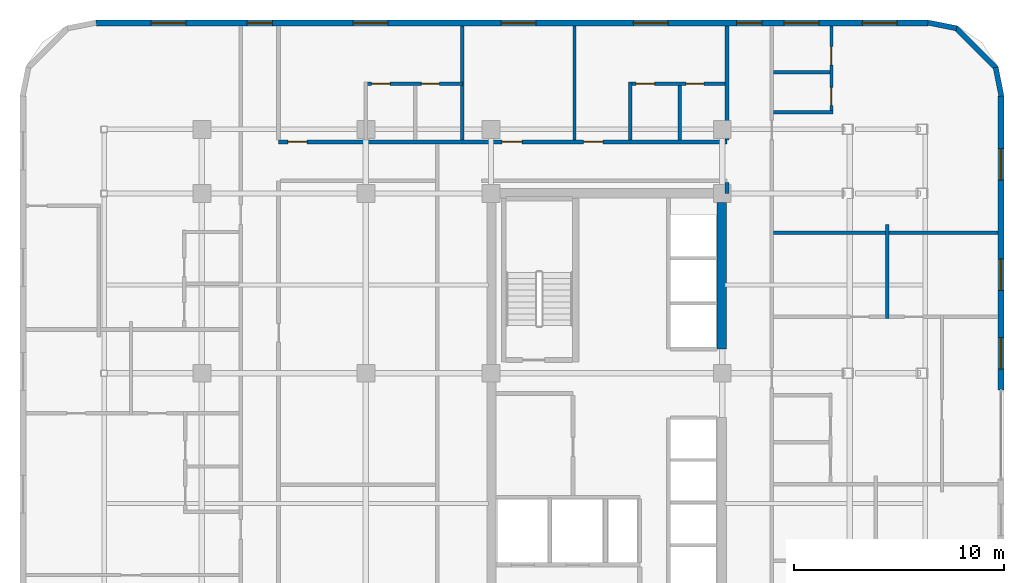
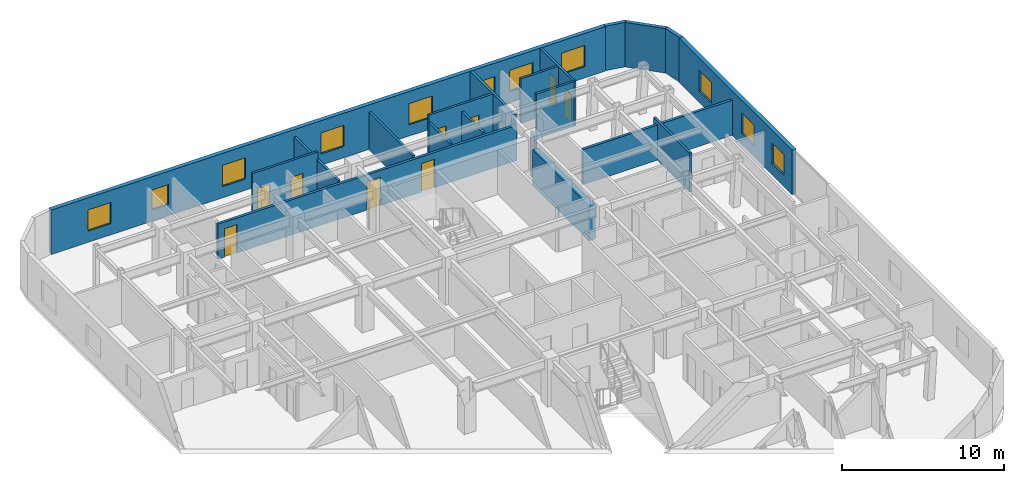
# One storey, part 11 of 13: 20 walls, 11 windows, 9 doors, 20 openings.
"""IFC4 building model written with IfcOpenShell, lengths in metres."""

from ifc_helpers import new_model, si_unit, direction, frame, frame_2d, origin, place, context, subcontext, project, spatial, rectangle, extrude, material, layer, layer_set, type_object, element, fill, save


model = new_model("IFC4")

# Units and contexts
model_context = context("Model", 3, precision=1e-05, world=origin(), true_north=direction((0.0, 1.0)))
body_context = subcontext(model_context, "Body", "Model", "MODEL_VIEW")
ifc_project = project(units=[si_unit("LENGTHUNIT", "METRE"), si_unit("AREAUNIT", "SQUARE_METRE"), si_unit("VOLUMEUNIT", "CUBIC_METRE"), si_unit("PLANEANGLEUNIT", "RADIAN"), si_unit("MASSUNIT", "GRAM", prefix="KILO")], contexts=[model_context])

# Site, building, storey
site_placement = place(None, origin())
site = spatial("IfcSite", under=ifc_project, at=site_placement, CompositionType="ELEMENT")
building_placement = place(site_placement, origin())
building = spatial("IfcBuilding", under=site, at=building_placement, Name="Ochreholt Gables", CompositionType="ELEMENT")
storey_placement = place(building_placement, frame((0.0, 0.0, 34.800048828125)))
storey = spatial("IfcBuildingStorey", under=building, at=storey_placement, Name="L08", CompositionType="ELEMENT", Elevation=34.800048828125)

# Wall
ifc_material_1 = material(Name="Concrete 60 MPa", Category="concrete")
ifc_layer_1 = layer(ifc_material_1, 0.449951171875, Name="Concrete 60 MPa")
ifc_layer_set_1 = layer_set([ifc_layer_1], Name="Concrete 60 MPa")
wall_type_1 = type_object("IfcWallType", Name="WALL-CSW-450", PredefinedType="SHEAR", material=ifc_layer_set_1)
wall_1_placement = place(storey_placement, frame((35.175048828125, 31.35009765625, 0.0), z_axis=(0.0, 0.0, 1.0), x_axis=(0.0, 1.0, 0.0)))
element("IfcWall", 1, at=wall_1_placement, inside=storey, type_object=wall_type_1, Name="L08 Core North-East Shear Wall", PredefinedType="SHEAR", context=body_context, shape_type="SweptSolid", body=[
    extrude(rectangle(XDim=6.974853515625, YDim=0.449951171875, at=frame_2d((3.4873046875, 0.0))), origin(), (0.0, 0.0, 1.0), 2.6669921875),
])

# Wall, openings, windows
ifc_material_2 = material(Name="Precast concrete 40 MPa", Category="concrete")
ifc_layer_2 = layer(ifc_material_2, 0.2900390625, Name="Precast concrete 40 MPa")
ifc_layer_set_2 = layer_set([ifc_layer_2], Name="Precast concrete 40 MPa")
wall_type_2 = type_object("IfcWallType", Name="WALL-EXT-290", PredefinedType="SOLIDWALL", material=ifc_layer_set_2)
wall_2_placement = place(storey_placement, frame((48.455078125, 29.39990234375, 0.0), z_axis=(0.0, 0.0, 1.0), x_axis=(0.0, 1.0, 0.0)))
wall_2 = element("IfcWall", 2, at=wall_2_placement, inside=storey, type_object=wall_type_2, Name="L08 East Facade Wall 2", PredefinedType="SOLIDWALL", context=body_context, shape_type="SweptSolid", body=[
    extrude(rectangle(XDim=13.97998046875, YDim=0.2900390625, at=frame_2d((6.989990234375, 0.0))), origin(), (0.0, 0.0, 1.0), 3.35986328125),
])
opening_1_placement = place(wall_2_placement, frame((0.9951171875, 0.0, 0.85009765625)))
opening_1 = element("IfcOpeningElement", 3, at=opening_1_placement, cuts=wall_2, Name="Opening WN-2", PredefinedType="OPENING", context=body_context, shape_type="SweptSolid", body=[
    extrude(rectangle(XDim=1.5, YDim=1.550048828125, at=frame_2d((0.75, 0.77490234375))), frame((0.0, 0.155029296875, 0.0), z_axis=(0.0, -1.0, 0.0), x_axis=(1.0, 0.0, 0.0)), (0.0, 0.0, 1.0), 0.31005859375),
])
opening_2_placement = place(wall_2_placement, frame((4.735107421875, 0.0, 0.85009765625)))
opening_2 = element("IfcOpeningElement", 4, at=opening_2_placement, cuts=wall_2, Name="Opening WN-2", PredefinedType="OPENING", context=body_context, shape_type="SweptSolid", body=[
    extrude(rectangle(XDim=1.5, YDim=1.550048828125, at=frame_2d((0.75, 0.77490234375))), frame((0.0, 0.155029296875, 0.0), z_axis=(0.0, -1.0, 0.0), x_axis=(1.0, 0.0, 0.0)), (0.0, 0.0, 1.0), 0.31005859375),
])
opening_3_placement = place(wall_2_placement, frame((9.97998046875, 0.0, 0.85009765625)))
opening_3 = element("IfcOpeningElement", 5, at=opening_3_placement, cuts=wall_2, Name="Opening WN-2", PredefinedType="OPENING", context=body_context, shape_type="SweptSolid", body=[
    extrude(rectangle(XDim=1.5, YDim=1.550048828125, at=frame_2d((0.75, 0.77490234375))), frame((0.0, 0.155029296875, 0.0), z_axis=(0.0, -1.0, 0.0), x_axis=(1.0, 0.0, 0.0)), (0.0, 0.0, 1.0), 0.31005859375),
])
ifc_material_3 = material(Name="Triple-Glazed Thermally Broken Aluminium Window", Category="aluminium")
window_type_1 = type_object("IfcWindowType", Name="WIN-RES-1500", PartitioningType="SINGLE_PANEL", PredefinedType="WINDOW", material=ifc_material_3)
window_1_placement = place(opening_1_placement, origin())
window_1 = element("IfcWindow", 6, at=window_1_placement, inside=storey, type_object=window_type_1, Name="L08 Window W-EXT-E2-L08-1", OverallHeight=1.550048828125, OverallWidth=1.5, PartitioningType="SINGLE_PANEL", PredefinedType="WINDOW", context=body_context, shape_type="SweptSolid", body=[
    extrude(rectangle(XDim=1.5, YDim=1.550048828125, at=frame_2d((0.75, 0.77490234375))), frame((0.0, 0.030029296875, 0.0), z_axis=(0.0, -1.0, 0.0), x_axis=(1.0, 0.0, 0.0)), (0.0, 0.0, 1.0), 0.06005859375),
])
fill(opening_1, window_1)
window_2_placement = place(opening_2_placement, origin())
window_2 = element("IfcWindow", 7, at=window_2_placement, inside=storey, type_object=window_type_1, Name="L08 Window W-EXT-E2-L08-2", OverallHeight=1.550048828125, OverallWidth=1.5, PartitioningType="SINGLE_PANEL", PredefinedType="WINDOW", context=body_context, shape_type="SweptSolid", body=[
    extrude(rectangle(XDim=1.5, YDim=1.550048828125, at=frame_2d((0.75, 0.77490234375))), frame((0.0, 0.030029296875, 0.0), z_axis=(0.0, -1.0, 0.0), x_axis=(1.0, 0.0, 0.0)), (0.0, 0.0, 1.0), 0.06005859375),
])
fill(opening_2, window_2)
window_3_placement = place(opening_3_placement, origin())
window_3 = element("IfcWindow", 8, at=window_3_placement, inside=storey, type_object=window_type_1, Name="L08 Window W-EXT-E2-L08-3", OverallHeight=1.550048828125, OverallWidth=1.5, PartitioningType="SINGLE_PANEL", PredefinedType="WINDOW", context=body_context, shape_type="SweptSolid", body=[
    extrude(rectangle(XDim=1.5, YDim=1.550048828125, at=frame_2d((0.75, 0.77490234375))), frame((0.0, 0.030029296875, 0.0), z_axis=(0.0, -1.0, 0.0), x_axis=(1.0, 0.0, 0.0)), (0.0, 0.0, 1.0), 0.06005859375),
])
fill(opening_3, window_3)

wall_3_placement = place(storey_placement, frame((44.97998046875, 46.85498046875, 0.0), z_axis=(0.0, 0.0, 1.0), x_axis=(-1.0, 0.0, 0.0)))
wall_3 = element("IfcWall", 9, at=wall_3_placement, inside=storey, type_object=wall_type_2, Name="L08 North Exterior Wall", PredefinedType="SOLIDWALL", context=body_context, shape_type="SweptSolid", body=[
    extrude(rectangle(XDim=39.56005859375, YDim=0.2900390625, at=frame_2d((19.780029296875, 0.0))), origin(), (0.0, 0.0, 1.0), 3.35986328125),
])
opening_4_placement = place(wall_3_placement, frame((35.294921875, 0.0, 0.85009765625)))
opening_4 = element("IfcOpeningElement", 10, at=opening_4_placement, cuts=wall_3, Name="Opening WN-7", PredefinedType="OPENING", context=body_context, shape_type="SweptSolid", body=[
    extrude(rectangle(XDim=1.64990234375, YDim=1.60009765625, at=frame_2d((0.824951171875, 0.800048828125))), frame((0.0, 0.155029296875, 0.0), z_axis=(0.0, -1.0, 0.0), x_axis=(1.0, 0.0, 0.0)), (0.0, 0.0, 1.0), 0.31005859375),
])
opening_5_placement = place(wall_3_placement, frame((31.179931640625, 0.0, 0.85009765625)))
opening_5 = element("IfcOpeningElement", 11, at=opening_5_placement, cuts=wall_3, Name="Opening WN-3", PredefinedType="OPENING", context=body_context, shape_type="SweptSolid", body=[
    extrude(rectangle(XDim=1.199951171875, YDim=1.5, at=frame_2d((0.60009765625, 0.75))), frame((0.0, 0.155029296875, 0.0), z_axis=(0.0, -1.0, 0.0), x_axis=(1.0, 0.0, 0.0)), (0.0, 0.0, 1.0), 0.31005859375),
])
opening_6_placement = place(wall_3_placement, frame((25.684326171875, 0.0, 0.85009765625)))
opening_6 = element("IfcOpeningElement", 12, at=opening_6_placement, cuts=wall_3, Name="Opening WN-7", PredefinedType="OPENING", context=body_context, shape_type="SweptSolid", body=[
    extrude(rectangle(XDim=1.64990234375, YDim=1.60009765625, at=frame_2d((0.824951171875, 0.800048828125))), frame((0.0, 0.155029296875, 0.0), z_axis=(0.0, -1.0, 0.0), x_axis=(1.0, 0.0, 0.0)), (0.0, 0.0, 1.0), 0.31005859375),
])
opening_7_placement = place(wall_3_placement, frame((18.648681640625, 0.0, 0.85009765625)))
opening_7 = element("IfcOpeningElement", 13, at=opening_7_placement, cuts=wall_3, Name="Opening WN-7", PredefinedType="OPENING", context=body_context, shape_type="SweptSolid", body=[
    extrude(rectangle(XDim=1.64990234375, YDim=1.60009765625, at=frame_2d((0.824951171875, 0.800048828125))), frame((0.0, 0.155029296875, 0.0), z_axis=(0.0, -1.0, 0.0), x_axis=(1.0, 0.0, 0.0)), (0.0, 0.0, 1.0), 0.31005859375),
])
opening_8_placement = place(wall_3_placement, frame((12.359375, 0.0, 0.85009765625)))
opening_8 = element("IfcOpeningElement", 14, at=opening_8_placement, cuts=wall_3, Name="Opening WN-7", PredefinedType="OPENING", context=body_context, shape_type="SweptSolid", body=[
    extrude(rectangle(XDim=1.64990234375, YDim=1.60009765625, at=frame_2d((0.824951171875, 0.800048828125))), frame((0.0, 0.155029296875, 0.0), z_axis=(0.0, -1.0, 0.0), x_axis=(1.0, 0.0, 0.0)), (0.0, 0.0, 1.0), 0.31005859375),
])
opening_9_placement = place(wall_3_placement, frame((7.89501953125, 0.0, 0.85009765625)))
opening_9 = element("IfcOpeningElement", 15, at=opening_9_placement, cuts=wall_3, Name="Opening WN-3", PredefinedType="OPENING", context=body_context, shape_type="SweptSolid", body=[
    extrude(rectangle(XDim=1.199951171875, YDim=1.5, at=frame_2d((0.60009765625, 0.75))), frame((0.0, 0.155029296875, 0.0), z_axis=(0.0, -1.0, 0.0), x_axis=(1.0, 0.0, 0.0)), (0.0, 0.0, 1.0), 0.31005859375),
])
opening_10_placement = place(wall_3_placement, frame((5.18310546875, 0.0, 0.85009765625)))
opening_10 = element("IfcOpeningElement", 16, at=opening_10_placement, cuts=wall_3, Name="Opening WN-7", PredefinedType="OPENING", context=body_context, shape_type="SweptSolid", body=[
    extrude(rectangle(XDim=1.64990234375, YDim=1.60009765625, at=frame_2d((0.824951171875, 0.800048828125))), frame((0.0, 0.155029296875, 0.0), z_axis=(0.0, -1.0, 0.0), x_axis=(1.0, 0.0, 0.0)), (0.0, 0.0, 1.0), 0.31005859375),
])
opening_11_placement = place(wall_3_placement, frame((1.468017578125, 0.0, 0.85009765625)))
opening_11 = element("IfcOpeningElement", 17, at=opening_11_placement, cuts=wall_3, Name="Opening WN-7", PredefinedType="OPENING", context=body_context, shape_type="SweptSolid", body=[
    extrude(rectangle(XDim=1.64990234375, YDim=1.60009765625, at=frame_2d((0.824951171875, 0.800048828125))), frame((0.0, 0.155029296875, 0.0), z_axis=(0.0, -1.0, 0.0), x_axis=(1.0, 0.0, 0.0)), (0.0, 0.0, 1.0), 0.31005859375),
])
window_type_2 = type_object("IfcWindowType", Name="WIN-RES-1200", PartitioningType="SINGLE_PANEL", PredefinedType="WINDOW", material=ifc_material_3)
window_4_placement = place(opening_5_placement, origin())
window_4 = element("IfcWindow", 18, at=window_4_placement, inside=storey, type_object=window_type_2, Name="L08 Window W-EXT-N-L08-2", OverallHeight=1.5, OverallWidth=1.199951171875, PartitioningType="SINGLE_PANEL", PredefinedType="WINDOW", context=body_context, shape_type="SweptSolid", body=[
    extrude(rectangle(XDim=1.199951171875, YDim=1.5, at=frame_2d((0.60009765625, 0.75))), frame((0.0, 0.030029296875, 0.0), z_axis=(0.0, -1.0, 0.0), x_axis=(1.0, 0.0, 0.0)), (0.0, 0.0, 1.0), 0.06005859375),
])
fill(opening_5, window_4)
window_5_placement = place(opening_9_placement, origin())
window_5 = element("IfcWindow", 19, at=window_5_placement, inside=storey, type_object=window_type_2, Name="L08 Window W-EXT-N-L08-6", OverallHeight=1.5, OverallWidth=1.199951171875, PartitioningType="SINGLE_PANEL", PredefinedType="WINDOW", context=body_context, shape_type="SweptSolid", body=[
    extrude(rectangle(XDim=1.199951171875, YDim=1.5, at=frame_2d((0.60009765625, 0.75))), frame((0.0, 0.030029296875, 0.0), z_axis=(0.0, -1.0, 0.0), x_axis=(1.0, 0.0, 0.0)), (0.0, 0.0, 1.0), 0.06005859375),
])
fill(opening_9, window_5)
window_type_3 = type_object("IfcWindowType", Name="WIN-RES-1650", PartitioningType="SINGLE_PANEL", PredefinedType="WINDOW", material=ifc_material_3)
window_6_placement = place(opening_4_placement, origin())
window_6 = element("IfcWindow", 20, at=window_6_placement, inside=storey, type_object=window_type_3, Name="L08 Window W-EXT-N-L08-1", OverallHeight=1.60009765625, OverallWidth=1.64990234375, PartitioningType="SINGLE_PANEL", PredefinedType="WINDOW", context=body_context, shape_type="SweptSolid", body=[
    extrude(rectangle(XDim=1.64990234375, YDim=1.60009765625, at=frame_2d((0.824951171875, 0.800048828125))), frame((0.0, 0.030029296875, 0.0), z_axis=(0.0, -1.0, 0.0), x_axis=(1.0, 0.0, 0.0)), (0.0, 0.0, 1.0), 0.06005859375),
])
fill(opening_4, window_6)
window_7_placement = place(opening_6_placement, origin())
window_7 = element("IfcWindow", 21, at=window_7_placement, inside=storey, type_object=window_type_3, Name="L08 Window W-EXT-N-L08-3", OverallHeight=1.60009765625, OverallWidth=1.64990234375, PartitioningType="SINGLE_PANEL", PredefinedType="WINDOW", context=body_context, shape_type="SweptSolid", body=[
    extrude(rectangle(XDim=1.64990234375, YDim=1.60009765625, at=frame_2d((0.824951171875, 0.800048828125))), frame((0.0, 0.030029296875, 0.0), z_axis=(0.0, -1.0, 0.0), x_axis=(1.0, 0.0, 0.0)), (0.0, 0.0, 1.0), 0.06005859375),
])
fill(opening_6, window_7)
window_8_placement = place(opening_7_placement, origin())
window_8 = element("IfcWindow", 22, at=window_8_placement, inside=storey, type_object=window_type_3, Name="L08 Window W-EXT-N-L08-4", OverallHeight=1.60009765625, OverallWidth=1.64990234375, PartitioningType="SINGLE_PANEL", PredefinedType="WINDOW", context=body_context, shape_type="SweptSolid", body=[
    extrude(rectangle(XDim=1.64990234375, YDim=1.60009765625, at=frame_2d((0.824951171875, 0.800048828125))), frame((0.0, 0.030029296875, 0.0), z_axis=(0.0, -1.0, 0.0), x_axis=(1.0, 0.0, 0.0)), (0.0, 0.0, 1.0), 0.06005859375),
])
fill(opening_7, window_8)
window_9_placement = place(opening_8_placement, origin())
window_9 = element("IfcWindow", 23, at=window_9_placement, inside=storey, type_object=window_type_3, Name="L08 Window W-EXT-N-L08-5", OverallHeight=1.60009765625, OverallWidth=1.64990234375, PartitioningType="SINGLE_PANEL", PredefinedType="WINDOW", context=body_context, shape_type="SweptSolid", body=[
    extrude(rectangle(XDim=1.64990234375, YDim=1.60009765625, at=frame_2d((0.824951171875, 0.800048828125))), frame((0.0, 0.030029296875, 0.0), z_axis=(0.0, -1.0, 0.0), x_axis=(1.0, 0.0, 0.0)), (0.0, 0.0, 1.0), 0.06005859375),
])
fill(opening_8, window_9)
window_10_placement = place(opening_10_placement, origin())
window_10 = element("IfcWindow", 24, at=window_10_placement, inside=storey, type_object=window_type_3, Name="L08 Window W-EXT-N-L08-7", OverallHeight=1.60009765625, OverallWidth=1.64990234375, PartitioningType="SINGLE_PANEL", PredefinedType="WINDOW", context=body_context, shape_type="SweptSolid", body=[
    extrude(rectangle(XDim=1.64990234375, YDim=1.60009765625, at=frame_2d((0.824951171875, 0.800048828125))), frame((0.0, 0.030029296875, 0.0), z_axis=(0.0, -1.0, 0.0), x_axis=(1.0, 0.0, 0.0)), (0.0, 0.0, 1.0), 0.06005859375),
])
fill(opening_10, window_10)
window_11_placement = place(opening_11_placement, origin())
window_11 = element("IfcWindow", 25, at=window_11_placement, inside=storey, type_object=window_type_3, Name="L08 Window W-EXT-N-L08-8", OverallHeight=1.60009765625, OverallWidth=1.64990234375, PartitioningType="SINGLE_PANEL", PredefinedType="WINDOW", context=body_context, shape_type="SweptSolid", body=[
    extrude(rectangle(XDim=1.64990234375, YDim=1.60009765625, at=frame_2d((0.824951171875, 0.800048828125))), frame((0.0, 0.030029296875, 0.0), z_axis=(0.0, -1.0, 0.0), x_axis=(1.0, 0.0, 0.0)), (0.0, 0.0, 1.0), 0.06005859375),
])
fill(opening_11, window_11)

# Walls
ifc_layer_3 = layer(ifc_material_2, 0.25, Name="Precast concrete 40 MPa")
ifc_layer_set_3 = layer_set([ifc_layer_3], Name="Precast concrete 40 MPa")
wall_type_3 = type_object("IfcWallType", Name="WALL-EXT-CNR", PredefinedType="SOLIDWALL", material=ifc_layer_set_3)
wall_4_placement = place(storey_placement, frame((48.475830078125, 43.383544921875, 0.0), z_axis=(0.0, 0.0, 1.0), x_axis=(-0.19496651342, 0.980809899341, 0.0)))
element("IfcWall", 26, at=wall_4_placement, inside=storey, type_object=wall_type_3, Name="L08 Rounded Corner Wall NE-1", PredefinedType="SOLIDWALL", context=body_context, shape_type="SweptSolid", body=[
    extrude(rectangle(XDim=1.388671875, YDim=0.25, at=frame_2d((0.6943359375, 0.0))), origin(), (0.0, 0.0, 1.0), 3.35986328125),
])
wall_5_placement = place(storey_placement, frame((48.23193359375, 44.695068359375, 0.0), z_axis=(0.0, 0.0, 1.0), x_axis=(-0.707106781187, 0.707106781187, 0.0)))
element("IfcWall", 27, at=wall_5_placement, inside=storey, type_object=wall_type_3, Name="L08 Rounded Corner Wall NE-2", PredefinedType="SOLIDWALL", context=body_context, shape_type="SweptSolid", body=[
    extrude(rectangle(XDim=2.7392578125, YDim=0.25, at=frame_2d((1.36962890625, 0.0))), origin(), (0.0, 0.0, 1.0), 3.35986328125),
])
wall_6_placement = place(storey_placement, frame((46.345458984375, 46.60498046875, 0.0), z_axis=(0.0, 0.0, 1.0), x_axis=(-0.980809899341, 0.19496651342, 0.0)))
element("IfcWall", 28, at=wall_6_placement, inside=storey, type_object=wall_type_3, Name="L08 Rounded Corner Wall NE-3", PredefinedType="SOLIDWALL", context=body_context, shape_type="SweptSolid", body=[
    extrude(rectangle(XDim=1.388671875, YDim=0.25, at=frame_2d((0.6943359375, 0.0))), origin(), (0.0, 0.0, 1.0), 3.35986328125),
])

# Wall, openings, doors
ifc_material_4 = material(Name="Fire-Rated Gypsum Acoustic Partition", Category="gypsum")
ifc_layer_4 = layer(ifc_material_4, 0.179931640625, Name="Fire-Rated Gypsum Acoustic Partition")
ifc_layer_set_4 = layer_set([ifc_layer_4], Name="Fire-Rated Gypsum Acoustic Partition")
wall_type_4 = type_object("IfcWallType", Name="WALL-INT-CR180", PredefinedType="STANDARD", material=ifc_layer_set_4)
wall_7_placement = place(storey_placement, frame((14.10009765625, 41.199951171875, 0.0), z_axis=(0.0, 0.0, 1.0), x_axis=(1.0, 0.0, 0.0)))
wall_7 = element("IfcWall", 29, at=wall_7_placement, inside=storey, type_object=wall_type_4, Name="L08 Interior Wall WI-C1N-L08", PredefinedType="STANDARD", context=body_context, shape_type="SweptSolid", body=[
    extrude(rectangle(XDim=21.31982421875, YDim=0.179931640625, at=frame_2d((10.659912109375, 0.0))), origin(), (0.0, 0.0, 1.0), 2.64892578125),
])
opening_12_placement = place(wall_7_placement, frame((0.43994140625, 0.0, 0.0)))
opening_12 = element("IfcOpeningElement", 30, at=opening_12_placement, cuts=wall_7, Name="Opening D-UN1", PredefinedType="OPENING", context=body_context, shape_type="SweptSolid", body=[
    extrude(rectangle(XDim=0.919921875, YDim=2.14990234375, at=frame_2d((0.4599609375, 1.074951171875))), frame((0.0, 0.099853515625, 0.0), z_axis=(0.0, -1.0, 0.0), x_axis=(1.0, 0.0, 0.0)), (0.0, 0.0, 1.0), 0.199951171875),
])
opening_13_placement = place(wall_7_placement, frame((10.631103515625, 0.0, 0.0)))
opening_13 = element("IfcOpeningElement", 31, at=opening_13_placement, cuts=wall_7, Name="Opening D-GN1", PredefinedType="OPENING", context=body_context, shape_type="SweptSolid", body=[
    extrude(rectangle(XDim=0.949951171875, YDim=2.14990234375, at=frame_2d((0.47509765625, 1.074951171875))), frame((0.0, 0.099853515625, 0.0), z_axis=(0.0, -1.0, 0.0), x_axis=(1.0, 0.0, 0.0)), (0.0, 0.0, 1.0), 0.199951171875),
])
opening_14_placement = place(wall_7_placement, frame((14.51123046875, 0.0, 0.0)))
opening_14 = element("IfcOpeningElement", 32, at=opening_14_placement, cuts=wall_7, Name="Opening D-UN1", PredefinedType="OPENING", context=body_context, shape_type="SweptSolid", body=[
    extrude(rectangle(XDim=0.919921875, YDim=2.14990234375, at=frame_2d((0.4599609375, 1.074951171875))), frame((0.0, 0.099853515625, 0.0), z_axis=(0.0, -1.0, 0.0), x_axis=(1.0, 0.0, 0.0)), (0.0, 0.0, 1.0), 0.199951171875),
])
ifc_material_5 = material(Name="Engineered Oak Timber", Category="wood")
door_type_1 = type_object("IfcDoorType", Name="DR-INT-GEN950", OperationType="NOTDEFINED", PredefinedType="DOOR", material=ifc_material_5)
door_1_placement = place(opening_13_placement, origin())
door_1 = element("IfcDoor", 33, at=door_1_placement, inside=storey, type_object=door_type_1, Name="L08 Door D-C1N3-L08", OperationType="SINGLE_SWING_RIGHT", OverallHeight=2.14990234375, OverallWidth=0.949951171875, PredefinedType="DOOR", context=body_context, shape_type="SweptSolid", body=[
    extrude(rectangle(XDim=0.949951171875, YDim=2.14990234375, at=frame_2d((0.47509765625, 1.074951171875))), frame((0.0, 0.02490234375, 0.0), z_axis=(0.0, -1.0, 0.0), x_axis=(1.0, 0.0, 0.0)), (0.0, 0.0, 1.0), 0.050048828125),
])
fill(opening_13, door_1)
door_type_2 = type_object("IfcDoorType", Name="DR-INT-UNT920", OperationType="NOTDEFINED", PredefinedType="DOOR", material=ifc_material_5)
door_2_placement = place(opening_12_placement, origin())
door_2 = element("IfcDoor", 34, at=door_2_placement, inside=storey, type_object=door_type_2, Name="L08 Door D-U-L08N1-ENT", OperationType="SINGLE_SWING_RIGHT", OverallHeight=2.14990234375, OverallWidth=0.919921875, PredefinedType="DOOR", context=body_context, shape_type="SweptSolid", body=[
    extrude(rectangle(XDim=0.919921875, YDim=2.14990234375, at=frame_2d((0.4599609375, 1.074951171875))), frame((0.0, 0.02490234375, 0.0), z_axis=(0.0, -1.0, 0.0), x_axis=(1.0, 0.0, 0.0)), (0.0, 0.0, 1.0), 0.050048828125),
])
fill(opening_12, door_2)
door_3_placement = place(opening_14_placement, origin())
door_3 = element("IfcDoor", 35, at=door_3_placement, inside=storey, type_object=door_type_2, Name="L08 Door D-U-L08N3-ENT", OperationType="SINGLE_SWING_RIGHT", OverallHeight=2.14990234375, OverallWidth=0.919921875, PredefinedType="DOOR", context=body_context, shape_type="SweptSolid", body=[
    extrude(rectangle(XDim=0.919921875, YDim=2.14990234375, at=frame_2d((0.4599609375, 1.074951171875))), frame((0.0, 0.02490234375, 0.0), z_axis=(0.0, -1.0, 0.0), x_axis=(1.0, 0.0, 0.0)), (0.0, 0.0, 1.0), 0.050048828125),
])
fill(opening_14, door_3)

# Walls
wall_8_placement = place(storey_placement, frame((35.419921875, 38.75, 0.0), z_axis=(0.0, 0.0, 1.0), x_axis=(0.0, 1.0, 0.0)))
element("IfcWall", 36, at=wall_8_placement, inside=storey, type_object=wall_type_4, Name="L08 Interior Wall WI-C1ENW2-L08", PredefinedType="STANDARD", context=body_context, shape_type="SweptSolid", body=[
    extrude(rectangle(XDim=0.510009765625, YDim=0.179931640625, at=frame_2d((0.2548828125, 0.0))), origin(), (0.0, 0.0, 1.0), 3.35986328125),
])
ifc_material_6 = material(Name="Double-Stud Acoustic Demising Wall", Category="gypsum")
ifc_layer_5 = layer(ifc_material_6, 0.179931640625, Name="Double-Stud Acoustic Demising Wall")
ifc_layer_set_5 = layer_set([ifc_layer_5], Name="Double-Stud Acoustic Demising Wall")
wall_type_5 = type_object("IfcWallType", Name="WALL-INT-DM180", PredefinedType="PARTITIONING", material=ifc_layer_set_5)
wall_9_placement = place(storey_placement, frame((35.419921875, 41.2900390625, 0.0), z_axis=(0.0, 0.0, 1.0), x_axis=(0.0, 1.0, 0.0)))
element("IfcWall", 37, at=wall_9_placement, inside=storey, type_object=wall_type_5, Name="L08 Interior Wall WI-C1ENW-L08", PredefinedType="PARTITIONING", context=body_context, shape_type="SweptSolid", body=[
    extrude(rectangle(XDim=5.419921875, YDim=0.179931640625, at=frame_2d((2.7099609375, 0.0))), origin(), (0.0, 0.0, 1.0), 3.35986328125),
])
wall_10_placement = place(storey_placement, frame((37.639892578125, 36.8798828125, 0.0), z_axis=(0.0, 0.0, 1.0), x_axis=(1.0, 0.0, 0.0)))
element("IfcWall", 38, at=wall_10_placement, inside=storey, type_object=wall_type_5, Name="L08 Interior Wall WI-UDE4-L08", PredefinedType="PARTITIONING", context=body_context, shape_type="SweptSolid", body=[
    extrude(rectangle(XDim=10.670166015625, YDim=0.179931640625, at=frame_2d((5.3349609375, 0.0))), origin(), (0.0, 0.0, 1.0), 2.64892578125),
])
ifc_material_7 = material(Name="Moisture-Resistant Plumbing Chase Wall", Category="gypsum")
ifc_layer_6 = layer(ifc_material_7, 0.159912109375, Name="Moisture-Resistant Plumbing Chase Wall")
ifc_layer_set_6 = layer_set([ifc_layer_6], Name="Moisture-Resistant Plumbing Chase Wall")
wall_type_6 = type_object("IfcWallType", Name="WALL-INT-PL160", PredefinedType="PLUMBINGWALL", material=ifc_layer_set_6)
wall_11_placement = place(storey_placement, frame((37.639892578125, 42.610107421875, 0.0), z_axis=(0.0, 0.0, 1.0), x_axis=(1.0, 0.0, 0.0)))
element("IfcWall", 39, at=wall_11_placement, inside=storey, type_object=wall_type_6, Name="L08 Interior Wall WU-L08E4-WYS", PredefinedType="PLUMBINGWALL", context=body_context, shape_type="SweptSolid", body=[
    extrude(rectangle(XDim=2.834228515625, YDim=0.159912109375, at=frame_2d((1.4169921875, 0.0))), origin(), (0.0, 0.0, 1.0), 3.35986328125),
])

# Wall, openings, doors
wall_12_placement = place(storey_placement, frame((40.39404296875, 42.52001953125, 0.0), z_axis=(0.0, 0.0, 1.0), x_axis=(0.0, 1.0, 0.0)))
wall_12 = element("IfcWall", 40, at=wall_12_placement, inside=storey, type_object=wall_type_6, Name="L08 Interior Wall WU-L08E4-WX", PredefinedType="PLUMBINGWALL", context=body_context, shape_type="SweptSolid", body=[
    extrude(rectangle(XDim=4.18994140625, YDim=0.159912109375, at=frame_2d((2.094970703125, 0.0))), origin(), (0.0, 0.0, 1.0), 3.35986328125),
])
opening_15_placement = place(wall_12_placement, frame((0.419921875, 0.0, 0.0)))
opening_15 = element("IfcOpeningElement", 41, at=opening_15_placement, cuts=wall_12, Name="Opening D-BT1", PredefinedType="OPENING", context=body_context, shape_type="SweptSolid", body=[
    extrude(rectangle(XDim=0.860107421875, YDim=2.1201171875, at=frame_2d((0.43017578125, 1.06005859375))), frame((0.0, 0.08984375, 0.0), z_axis=(0.0, -1.0, 0.0), x_axis=(1.0, 0.0, 0.0)), (0.0, 0.0, 1.0), 0.179931640625),
])
opening_16_placement = place(wall_12_placement, frame((2.3291015625, 0.0, 0.0)))
opening_16 = element("IfcOpeningElement", 42, at=opening_16_placement, cuts=wall_12, Name="Opening D-GN2", PredefinedType="OPENING", context=body_context, shape_type="SweptSolid", body=[
    extrude(rectangle(XDim=0.8798828125, YDim=2.1201171875, at=frame_2d((0.43994140625, 1.06005859375))), frame((0.0, 0.08984375, 0.0), z_axis=(0.0, -1.0, 0.0), x_axis=(1.0, 0.0, 0.0)), (0.0, 0.0, 1.0), 0.179931640625),
])
door_type_3 = type_object("IfcDoorType", Name="DR-INT-BTH860", OperationType="NOTDEFINED", PredefinedType="DOOR", material=ifc_material_5)
door_4_placement = place(opening_15_placement, origin())
door_4 = element("IfcDoor", 43, at=door_4_placement, inside=storey, type_object=door_type_3, Name="L08 Door D-U-L08E4-BTH", OperationType="SINGLE_SWING_RIGHT", OverallHeight=2.1201171875, OverallWidth=0.860107421875, PredefinedType="DOOR", context=body_context, shape_type="SweptSolid", body=[
    extrude(rectangle(XDim=0.860107421875, YDim=2.1201171875, at=frame_2d((0.43017578125, 1.06005859375))), frame((0.0, 0.02490234375, 0.0), z_axis=(0.0, -1.0, 0.0), x_axis=(1.0, 0.0, 0.0)), (0.0, 0.0, 1.0), 0.050048828125),
])
fill(opening_15, door_4)
door_type_4 = type_object("IfcDoorType", Name="DR-INT-GEN880", OperationType="NOTDEFINED", PredefinedType="DOOR", material=ifc_material_5)
door_5_placement = place(opening_16_placement, origin())
door_5 = element("IfcDoor", 44, at=door_5_placement, inside=storey, type_object=door_type_4, Name="L08 Door D-U-L08E4-KIT", OperationType="SINGLE_SWING_LEFT", OverallHeight=2.1201171875, OverallWidth=0.8798828125, PredefinedType="DOOR", context=body_context, shape_type="SweptSolid", body=[
    extrude(rectangle(XDim=0.8798828125, YDim=2.1201171875, at=frame_2d((0.43994140625, 1.06005859375))), frame((0.0, 0.02490234375, 0.0), z_axis=(0.0, -1.0, 0.0), x_axis=(1.0, 0.0, 0.0)), (0.0, 0.0, 1.0), 0.050048828125),
])
fill(opening_16, door_5)

# Wall
wall_13_placement = place(storey_placement, frame((37.639892578125, 44.51904296875, 0.0), z_axis=(0.0, 0.0, 1.0), x_axis=(1.0, 0.0, 0.0)))
element("IfcWall", 45, at=wall_13_placement, inside=storey, type_object=wall_type_6, Name="L08 Interior Wall WU-L08E4-WM", PredefinedType="PLUMBINGWALL", context=body_context, shape_type="SweptSolid", body=[
    extrude(rectangle(XDim=2.674072265625, YDim=0.159912109375, at=frame_2d((1.3369140625, 0.0))), origin(), (0.0, 0.0, 1.0), 3.35986328125),
])

# Wall, openings, doors
wall_14_placement = place(storey_placement, frame((18.171142578125, 43.969970703125, 0.0), z_axis=(0.0, 0.0, 1.0), x_axis=(1.0, 0.0, 0.0)))
wall_14 = element("IfcWall", 46, at=wall_14_placement, inside=storey, type_object=wall_type_6, Name="L08 Interior Wall WU-L08N1-WY", PredefinedType="PLUMBINGWALL", context=body_context, shape_type="SweptSolid", body=[
    extrude(rectangle(XDim=4.670166015625, YDim=0.159912109375, at=frame_2d((2.3349609375, 0.0))), origin(), (0.0, 0.0, 1.0), 3.35986328125),
])
opening_17_placement = place(wall_14_placement, frame((0.35009765625, 0.0, 0.0)))
opening_17 = element("IfcOpeningElement", 47, at=opening_17_placement, cuts=wall_14, Name="Opening D-GN2", PredefinedType="OPENING", context=body_context, shape_type="SweptSolid", body=[
    extrude(rectangle(XDim=0.8798828125, YDim=2.1201171875, at=frame_2d((0.43994140625, 1.06005859375))), frame((0.0, 0.08984375, 0.0), z_axis=(0.0, -1.0, 0.0), x_axis=(1.0, 0.0, 0.0)), (0.0, 0.0, 1.0), 0.179931640625),
])
opening_18_placement = place(wall_14_placement, frame((2.719970703125, 0.0, 0.0)))
opening_18 = element("IfcOpeningElement", 48, at=opening_18_placement, cuts=wall_14, Name="Opening D-BT1", PredefinedType="OPENING", context=body_context, shape_type="SweptSolid", body=[
    extrude(rectangle(XDim=0.860107421875, YDim=2.1201171875, at=frame_2d((0.43017578125, 1.06005859375))), frame((0.0, 0.08984375, 0.0), z_axis=(0.0, -1.0, 0.0), x_axis=(1.0, 0.0, 0.0)), (0.0, 0.0, 1.0), 0.179931640625),
])
door_6_placement = place(opening_18_placement, origin())
door_6 = element("IfcDoor", 49, at=door_6_placement, inside=storey, type_object=door_type_3, Name="L08 Door D-U-L08N1-BTH", OperationType="SINGLE_SWING_RIGHT", OverallHeight=2.1201171875, OverallWidth=0.860107421875, PredefinedType="DOOR", context=body_context, shape_type="SweptSolid", body=[
    extrude(rectangle(XDim=0.860107421875, YDim=2.1201171875, at=frame_2d((0.43017578125, 1.06005859375))), frame((0.0, 0.02490234375, 0.0), z_axis=(0.0, -1.0, 0.0), x_axis=(1.0, 0.0, 0.0)), (0.0, 0.0, 1.0), 0.050048828125),
])
fill(opening_18, door_6)
door_7_placement = place(opening_17_placement, origin())
door_7 = element("IfcDoor", 50, at=door_7_placement, inside=storey, type_object=door_type_4, Name="L08 Door D-U-L08N1-KIT", OperationType="SINGLE_SWING_LEFT", OverallHeight=2.1201171875, OverallWidth=0.8798828125, PredefinedType="DOOR", context=body_context, shape_type="SweptSolid", body=[
    extrude(rectangle(XDim=0.8798828125, YDim=2.1201171875, at=frame_2d((0.43994140625, 1.06005859375))), frame((0.0, 0.02490234375, 0.0), z_axis=(0.0, -1.0, 0.0), x_axis=(1.0, 0.0, 0.0)), (0.0, 0.0, 1.0), 0.050048828125),
])
fill(opening_17, door_7)

wall_15_placement = place(storey_placement, frame((30.75, 43.969970703125, 0.0), z_axis=(0.0, 0.0, 1.0), x_axis=(1.0, 0.0, 0.0)))
wall_15 = element("IfcWall", 51, at=wall_15_placement, inside=storey, type_object=wall_type_6, Name="L08 Interior Wall WU-L08N3-WY", PredefinedType="PLUMBINGWALL", context=body_context, shape_type="SweptSolid", body=[
    extrude(rectangle(XDim=4.580078125, YDim=0.159912109375, at=frame_2d((2.2900390625, 0.0))), origin(), (0.0, 0.0, 1.0), 3.35986328125),
])
opening_19_placement = place(wall_15_placement, frame((0.35009765625, 0.0, 0.0)))
opening_19 = element("IfcOpeningElement", 52, at=opening_19_placement, cuts=wall_15, Name="Opening D-GN2", PredefinedType="OPENING", context=body_context, shape_type="SweptSolid", body=[
    extrude(rectangle(XDim=0.8798828125, YDim=2.1201171875, at=frame_2d((0.43994140625, 1.06005859375))), frame((0.0, 0.08984375, 0.0), z_axis=(0.0, -1.0, 0.0), x_axis=(1.0, 0.0, 0.0)), (0.0, 0.0, 1.0), 0.179931640625),
])
opening_20_placement = place(wall_15_placement, frame((2.719970703125, 0.0, 0.0)))
opening_20 = element("IfcOpeningElement", 53, at=opening_20_placement, cuts=wall_15, Name="Opening D-BT1", PredefinedType="OPENING", context=body_context, shape_type="SweptSolid", body=[
    extrude(rectangle(XDim=0.860107421875, YDim=2.1201171875, at=frame_2d((0.43017578125, 1.06005859375))), frame((0.0, 0.08984375, 0.0), z_axis=(0.0, -1.0, 0.0), x_axis=(1.0, 0.0, 0.0)), (0.0, 0.0, 1.0), 0.179931640625),
])
door_8_placement = place(opening_20_placement, origin())
door_8 = element("IfcDoor", 54, at=door_8_placement, inside=storey, type_object=door_type_3, Name="L08 Door D-U-L08N3-BTH", OperationType="SINGLE_SWING_RIGHT", OverallHeight=2.1201171875, OverallWidth=0.860107421875, PredefinedType="DOOR", context=body_context, shape_type="SweptSolid", body=[
    extrude(rectangle(XDim=0.860107421875, YDim=2.1201171875, at=frame_2d((0.43017578125, 1.06005859375))), frame((0.0, 0.02490234375, 0.0), z_axis=(0.0, -1.0, 0.0), x_axis=(1.0, 0.0, 0.0)), (0.0, 0.0, 1.0), 0.050048828125),
])
fill(opening_20, door_8)
door_9_placement = place(opening_19_placement, origin())
door_9 = element("IfcDoor", 55, at=door_9_placement, inside=storey, type_object=door_type_4, Name="L08 Door D-U-L08N3-KIT", OperationType="SINGLE_SWING_LEFT", OverallHeight=2.1201171875, OverallWidth=0.8798828125, PredefinedType="DOOR", context=body_context, shape_type="SweptSolid", body=[
    extrude(rectangle(XDim=0.8798828125, YDim=2.1201171875, at=frame_2d((0.43994140625, 1.06005859375))), frame((0.0, 0.02490234375, 0.0), z_axis=(0.0, -1.0, 0.0), x_axis=(1.0, 0.0, 0.0)), (0.0, 0.0, 1.0), 0.050048828125),
])
fill(opening_19, door_9)

# Walls
wall_16_placement = place(storey_placement, frame((30.830078125, 41.2900390625, 0.0), z_axis=(0.0, 0.0, 1.0), x_axis=(0.0, 1.0, 0.0)))
element("IfcWall", 56, at=wall_16_placement, inside=storey, type_object=wall_type_6, Name="L08 Interior Wall WU-L08N3-FY", PredefinedType="PLUMBINGWALL", context=body_context, shape_type="SweptSolid", body=[
    extrude(rectangle(XDim=2.760009765625, YDim=0.159912109375, at=frame_2d((1.3798828125, 0.0))), origin(), (0.0, 0.0, 1.0), 2.808837890625),
])
wall_17_placement = place(storey_placement, frame((33.169921875, 41.2900390625, 0.0), z_axis=(0.0, 0.0, 1.0), x_axis=(0.0, 1.0, 0.0)))
element("IfcWall", 57, at=wall_17_placement, inside=storey, type_object=wall_type_6, Name="L08 Interior Wall WU-L08N3-WK", PredefinedType="PLUMBINGWALL", context=body_context, shape_type="SweptSolid", body=[
    extrude(rectangle(XDim=2.599853515625, YDim=0.159912109375, at=frame_2d((1.2998046875, 0.0))), origin(), (0.0, 0.0, 1.0), 2.808837890625),
])
ifc_material_8 = material(Name="Gypsum Acoustic Stud Partition", Category="gypsum")
ifc_layer_7 = layer(ifc_material_8, 0.159912109375, Name="Gypsum Acoustic Stud Partition")
ifc_layer_set_7 = layer_set([ifc_layer_7], Name="Gypsum Acoustic Stud Partition")
wall_type_7 = type_object("IfcWallType", Name="WALL-INT-PT160", PredefinedType="PARTITIONING", material=ifc_layer_set_7)
wall_18_placement = place(storey_placement, frame((43.044921875, 32.81005859375, 0.0), z_axis=(0.0, 0.0, 1.0), x_axis=(0.0, 1.0, 0.0)))
element("IfcWall", 58, at=wall_18_placement, inside=storey, type_object=wall_type_7, Name="L08 Interior Wall WU-L08E3-BSD", PredefinedType="PARTITIONING", context=body_context, shape_type="SweptSolid", body=[
    extrude(rectangle(XDim=4.4599609375, YDim=0.159912109375, at=frame_2d((2.22998046875, 0.0))), origin(), (0.0, 0.0, 1.0), 2.931884765625),
])
for number, where, z_axis, x_axis, name in (
    (59, (22.84130859375, 41.2900390625, 0.0), (0.0, 0.0, 1.0), (0.0, 1.0, 0.0), "L08 Interior Wall WI-UDN2-L08"),
    (60, (28.171142578125, 41.2900390625, 0.0), (0.0, 0.0, 1.0), (0.0, 1.0, 0.0), "L08 Interior Wall WI-UDN3-L08"),
):
    element("IfcWall", number, at=place(storey_placement, frame(where, z_axis=z_axis, x_axis=x_axis)), inside=storey, type_object=wall_type_7, Name=name, PredefinedType="PARTITIONING", context=body_context, shape_type="SweptSolid", body=[
        extrude(rectangle(XDim=5.419921875, YDim=0.159912109375, at=frame_2d((2.7099609375, 0.0))), origin(), (0.0, 0.0, 1.0), 2.808837890625),
    ])

save(model, "model.ifc")
